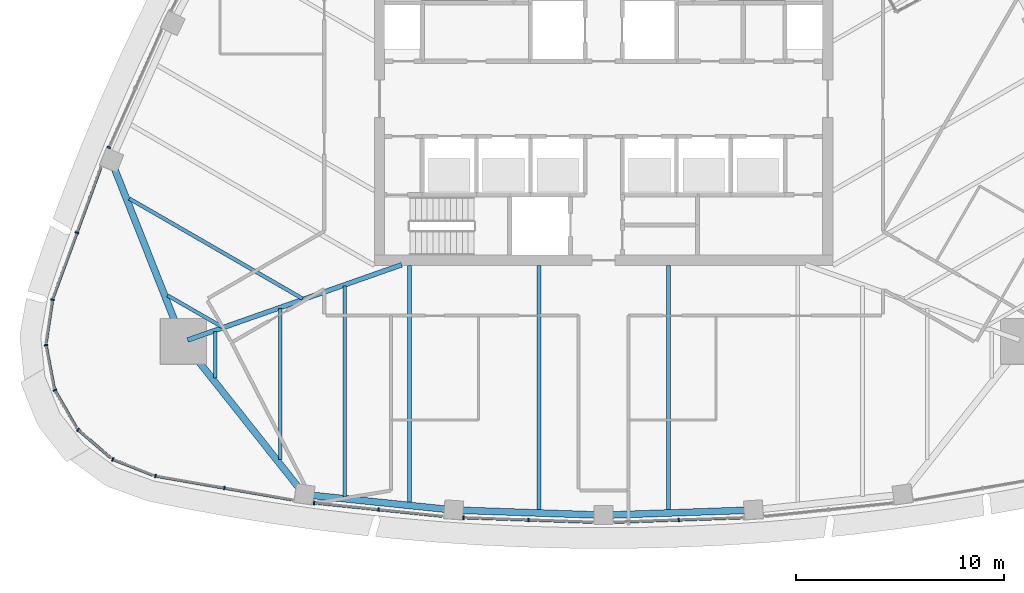
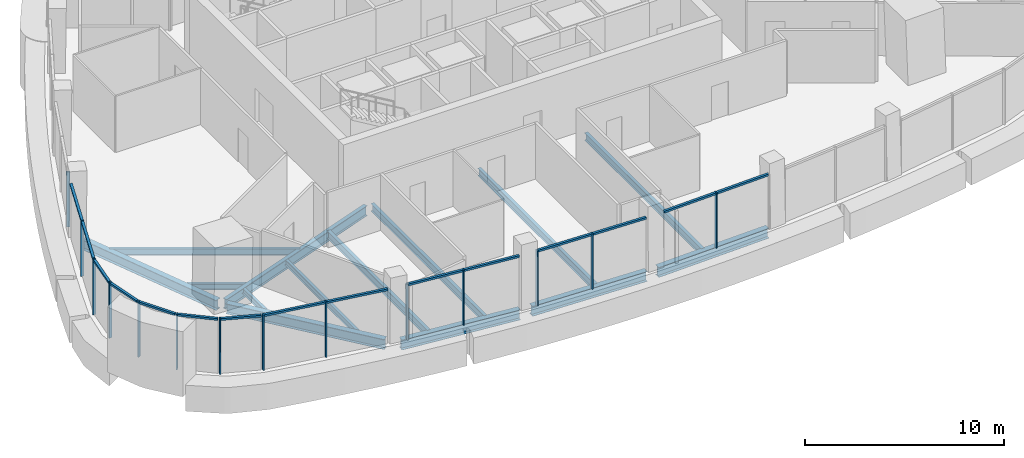
# One storey, part 2 of 18: 29 members, 14 beams, 11 elements without a shape of their own.
"""IFC4 building model written with IfcOpenShell, lengths in metres."""

from ifc_helpers import new_model, si_unit, direction, frame, origin, origin_2d, place, context, subcontext, project, spatial, rectangle, i_section, extrude, material, layer, layer_set, material_profile, profile_set, type_object, element, aggregate, save


model = new_model("IFC4")

# Units and contexts
model_context = context("Model", 3, precision=1e-05, world=origin(), true_north=direction((0.0, 1.0)))
body_context = subcontext(model_context, "Body", "Model", "MODEL_VIEW")
ifc_project = project(units=[si_unit("LENGTHUNIT", "METRE"), si_unit("AREAUNIT", "SQUARE_METRE"), si_unit("VOLUMEUNIT", "CUBIC_METRE"), si_unit("PLANEANGLEUNIT", "RADIAN"), si_unit("MASSUNIT", "GRAM", prefix="KILO")], contexts=[model_context])

# Site, building, storey
site_placement = place(None, origin())
site = spatial("IfcSite", under=ifc_project, at=site_placement, CompositionType="ELEMENT")
building_placement = place(site_placement, origin())
building = spatial("IfcBuilding", under=site, at=building_placement, Name="Sierra Prisma Convention Tower", CompositionType="ELEMENT")
storey_placement = place(building_placement, frame((0.0, 0.0, 307.0)))
storey = spatial("IfcBuildingStorey", under=building, at=storey_placement, Name="L70", CompositionType="ELEMENT", Elevation=307.0)

# Curtain wall, member
ifc_material_1 = material(Name="Aluminium and glass curtain wall", Category="aluminium")
ifc_layer = layer(ifc_material_1, 0.179931640625)
ifc_layer_set = layer_set([ifc_layer], Name="CW-1 Plain shaft curtain wall")
curtain_wall_type = type_object("IfcCurtainWallType", Name="CW-1 Plain shaft curtain wall", PredefinedType="NOTDEFINED", material=ifc_layer_set)
curtain_wall_1_placement = place(storey_placement, origin())
curtain_wall_1 = element("IfcCurtainWall", 1, at=curtain_wall_1_placement, inside=storey, type_object=curtain_wall_type, Name="CW-1 NW5 L70", PredefinedType="NOTDEFINED")
ifc_material_2 = material(Name="Aluminium 6063-T6 bronze anodised", Category="aluminium")
ifc_material_profile_1 = material_profile(ifc_material_2, rectangle(XDim=0.179931640625, YDim=0.070068359375, at=origin_2d()), Name="ALU MULLION 70x180")
ifc_profile_set_1 = profile_set([ifc_material_profile_1], Name="Aluminium 6063-T6 bronze anodised")
member_type_1 = type_object("IfcMemberType", Name="CW mullion bronze", PredefinedType="MULLION", material=ifc_profile_set_1)
member_1_placement = place(storey_placement, frame((-23.728759765625, -2.3330078125, 0.0), z_axis=(0.0, 0.0, 1.0), x_axis=(0.913045476115, -0.407857767545, 0.0)))
member_1 = element("IfcMember", 2, at=member_1_placement, type_object=member_type_1, Name="CW-1 mullion NW5.3", PredefinedType="MULLION", context=body_context, shape_type="SweptSolid", body=[
    extrude(rectangle(XDim=0.179931640625, YDim=0.070068359375, at=origin_2d()), origin(), (0.0, 0.0, 1.0), 3.39990234375),
])
aggregate(curtain_wall_1, [member_1])

curtain_wall_2_placement = place(storey_placement, origin())
curtain_wall_2 = element("IfcCurtainWall", 3, at=curtain_wall_2_placement, inside=storey, type_object=curtain_wall_type, Name="CW-1 NW6 L70", PredefinedType="NOTDEFINED")
member_2_placement = place(storey_placement, frame((-25.264404296875, -6.419921875, 0.0), z_axis=(0.0, 0.0, 1.0), x_axis=(0.938990904569, -0.343941973502, 0.0)))
member_2 = element("IfcMember", 4, at=member_2_placement, type_object=member_type_1, Name="CW-1 mullion NW6.2", PredefinedType="MULLION", context=body_context, shape_type="SweptSolid", body=[
    extrude(rectangle(XDim=0.179931640625, YDim=0.070068359375, at=origin_2d()), origin(), (0.0, 0.0, 1.0), 3.39990234375),
])

curtain_wall_3_placement = place(storey_placement, origin())
curtain_wall_3 = element("IfcCurtainWall", 5, at=curtain_wall_3_placement, inside=storey, type_object=curtain_wall_type, Name="CW-1 SW1 L70", PredefinedType="NOTDEFINED")
member_3_placement = place(storey_placement, frame((-26.43505859375, -9.63623046875, 0.0), z_axis=(0.0, 0.0, 1.0), x_axis=(0.98898350408, -0.148025770247, 0.0)))
member_3 = element("IfcMember", 6, at=member_3_placement, type_object=member_type_1, Name="CW-1 mullion SW1.1", PredefinedType="MULLION", context=body_context, shape_type="SweptSolid", body=[
    extrude(rectangle(XDim=0.179931640625, YDim=0.070068359375, at=origin_2d()), origin(), (0.0, 0.0, 1.0), 3.39990234375),
])

curtain_wall_4_placement = place(storey_placement, origin())
curtain_wall_4 = element("IfcCurtainWall", 7, at=curtain_wall_4_placement, inside=storey, type_object=curtain_wall_type, Name="CW-1 SW2 L70", PredefinedType="NOTDEFINED")
member_4_placement = place(storey_placement, frame((-26.7490234375, -11.8125, 0.0), z_axis=(0.0, 0.0, 1.0), x_axis=(0.98247079437, 0.186416571714, 0.0)))
member_4 = element("IfcMember", 8, at=member_4_placement, type_object=member_type_1, Name="CW-1 mullion SW2.1", PredefinedType="MULLION", context=body_context, shape_type="SweptSolid", body=[
    extrude(rectangle(XDim=0.179931640625, YDim=0.070068359375, at=origin_2d()), origin(), (0.0, 0.0, 1.0), 3.39990234375),
])

curtain_wall_5_placement = place(storey_placement, origin())
curtain_wall_5 = element("IfcCurtainWall", 9, at=curtain_wall_5_placement, inside=storey, type_object=curtain_wall_type, Name="CW-1 SW3 L70", PredefinedType="NOTDEFINED")
member_5_placement = place(storey_placement, frame((-26.327880859375, -13.97021484375, 0.0), z_axis=(0.0, 0.0, 1.0), x_axis=(0.866025403784, 0.5, 0.0)))
member_5 = element("IfcMember", 10, at=member_5_placement, type_object=member_type_1, Name="CW-1 mullion SW3.1", PredefinedType="MULLION", context=body_context, shape_type="SweptSolid", body=[
    extrude(rectangle(XDim=0.179931640625, YDim=0.070068359375, at=origin_2d()), origin(), (0.0, 0.0, 1.0), 3.39990234375),
])

curtain_wall_6_placement = place(storey_placement, origin())
curtain_wall_6 = element("IfcCurtainWall", 11, at=curtain_wall_6_placement, inside=storey, type_object=curtain_wall_type, Name="CW-1 SW4 L70", PredefinedType="NOTDEFINED")
member_6_placement = place(storey_placement, frame((-25.218505859375, -15.86865234375, 0.0), z_axis=(0.0, 0.0, 1.0), x_axis=(0.652676883976, 0.757636380544, 0.0)))
member_6 = element("IfcMember", 12, at=member_6_placement, type_object=member_type_1, Name="CW-1 mullion SW4.1", PredefinedType="MULLION", context=body_context, shape_type="SweptSolid", body=[
    extrude(rectangle(XDim=0.179931640625, YDim=0.070068359375, at=origin_2d()), origin(), (0.0, 0.0, 1.0), 3.39990234375),
])

curtain_wall_7_placement = place(storey_placement, origin())
curtain_wall_7 = element("IfcCurtainWall", 13, at=curtain_wall_7_placement, inside=storey, type_object=curtain_wall_type, Name="CW-1 SW5 L70", PredefinedType="NOTDEFINED")
member_7_placement = place(storey_placement, frame((-23.54541015625, -17.294921875, 0.0), z_axis=(0.0, 0.0, 1.0), x_axis=(0.366297674592, 0.930497723581, 0.0)))
member_7 = element("IfcMember", 14, at=member_7_placement, type_object=member_type_1, Name="CW-1 mullion SW5.1", PredefinedType="MULLION", context=body_context, shape_type="SweptSolid", body=[
    extrude(rectangle(XDim=0.179931640625, YDim=0.070068359375, at=origin_2d()), origin(), (0.0, 0.0, 1.0), 3.39990234375),
])

# Curtain wall, members
curtain_wall_8_placement = place(storey_placement, origin())
curtain_wall_8 = element("IfcCurtainWall", 15, at=curtain_wall_8_placement, inside=storey, type_object=curtain_wall_type, Name="CW-1 S1 L70", PredefinedType="NOTDEFINED")
member_8_placement = place(storey_placement, frame((-21.495849609375, -18.093994140625, 0.0), z_axis=(0.0, 0.0, 1.0), x_axis=(0.171632965804, 0.98516096403, 0.0)))
member_8 = element("IfcMember", 16, at=member_8_placement, type_object=member_type_1, Name="CW-1 mullion S1.1", PredefinedType="MULLION", context=body_context, shape_type="SweptSolid", body=[
    extrude(rectangle(XDim=0.179931640625, YDim=0.070068359375, at=origin_2d()), origin(), (0.0, 0.0, 1.0), 3.39990234375),
])
member_9_placement = place(storey_placement, frame((-18.192138671875, -18.669677734375, 0.0), z_axis=(0.0, 0.0, 1.0), x_axis=(0.171632965804, 0.98516096403, 0.0)))
member_9 = element("IfcMember", 17, at=member_9_placement, type_object=member_type_1, Name="CW-1 mullion S1.2", PredefinedType="MULLION", context=body_context, shape_type="SweptSolid", body=[
    extrude(rectangle(XDim=0.179931640625, YDim=0.070068359375, at=origin_2d()), origin(), (0.0, 0.0, 1.0), 3.39990234375),
])

curtain_wall_9_placement = place(storey_placement, origin())
curtain_wall_9 = element("IfcCurtainWall", 18, at=curtain_wall_9_placement, inside=storey, type_object=curtain_wall_type, Name="CW-1 S2 L70", PredefinedType="NOTDEFINED")
member_10_placement = place(storey_placement, frame((-13.884765625, -19.383056640625, 0.0), z_axis=(0.0, 0.0, 1.0), x_axis=(0.103307550233, 0.994649460898, 0.0)))
member_10 = element("IfcMember", 19, at=member_10_placement, type_object=member_type_1, Name="CW-1 mullion S2.1", PredefinedType="MULLION", context=body_context, shape_type="SweptSolid", body=[
    extrude(rectangle(XDim=0.179931640625, YDim=0.070068359375, at=origin_2d()), origin(), (0.0, 0.0, 1.0), 3.39990234375),
])
member_11_placement = place(storey_placement, frame((-10.794921875, -19.7041015625, 0.0), z_axis=(0.0, 0.0, 1.0), x_axis=(0.103307550233, 0.994649460898, 0.0)))
member_11 = element("IfcMember", 20, at=member_11_placement, type_object=member_type_1, Name="CW-1 mullion S2.2", PredefinedType="MULLION", context=body_context, shape_type="SweptSolid", body=[
    extrude(rectangle(XDim=0.179931640625, YDim=0.070068359375, at=origin_2d()), origin(), (0.0, 0.0, 1.0), 3.39990234375),
])

curtain_wall_10_placement = place(storey_placement, origin())
curtain_wall_10 = element("IfcCurtainWall", 21, at=curtain_wall_10_placement, inside=storey, type_object=curtain_wall_type, Name="CW-1 S3 L70", PredefinedType="NOTDEFINED")
member_12_placement = place(storey_placement, frame((-6.725830078125, -20.09228515625, 0.0), z_axis=(0.0, 0.0, 1.0), x_axis=(0.034490556636, 0.999405023753, 0.0)))
member_12 = element("IfcMember", 22, at=member_12_placement, type_object=member_type_1, Name="CW-1 mullion S3.1", PredefinedType="MULLION", context=body_context, shape_type="SweptSolid", body=[
    extrude(rectangle(XDim=0.179931640625, YDim=0.070068359375, at=origin_2d()), origin(), (0.0, 0.0, 1.0), 3.39990234375),
])
member_13_placement = place(storey_placement, frame((-3.605224609375, -20.199951171875, 0.0), z_axis=(0.0, 0.0, 1.0), x_axis=(0.034490556636, 0.999405023753, 0.0)))
member_13 = element("IfcMember", 23, at=member_13_placement, type_object=member_type_1, Name="CW-1 mullion S3.2", PredefinedType="MULLION", context=body_context, shape_type="SweptSolid", body=[
    extrude(rectangle(XDim=0.179931640625, YDim=0.070068359375, at=origin_2d()), origin(), (0.0, 0.0, 1.0), 3.39990234375),
])

# Curtain wall, member
curtain_wall_11_placement = place(storey_placement, origin())
curtain_wall_11 = element("IfcCurtainWall", 24, at=curtain_wall_11_placement, inside=storey, type_object=curtain_wall_type, Name="CW-1 S4 L70", PredefinedType="NOTDEFINED")
member_14_placement = place(storey_placement, frame((3.605224609375, -20.199951171875, 0.0), z_axis=(0.0, 0.0, 1.0), x_axis=(-0.034490556636, 0.999405023753, 0.0)))
member_14 = element("IfcMember", 25, at=member_14_placement, type_object=member_type_1, Name="CW-1 mullion S4.2", PredefinedType="MULLION", context=body_context, shape_type="SweptSolid", body=[
    extrude(rectangle(XDim=0.179931640625, YDim=0.070068359375, at=origin_2d()), origin(), (0.0, 0.0, 1.0), 3.39990234375),
])

# Member
ifc_material_3 = material(Name="Aluminium 6063-T6 bronze anodised", Category="aluminium")
ifc_material_profile_2 = material_profile(ifc_material_3, rectangle(XDim=0.139892578125, YDim=0.1201171875, at=origin_2d()), Name="ALU TRANSOM 120x140")
ifc_profile_set_2 = profile_set([ifc_material_profile_2], Name="Aluminium 6063-T6 bronze anodised")
member_type_2 = type_object("IfcMemberType", Name="CW transom bronze", PredefinedType="USERDEFINED", material=ifc_profile_set_2)
member_15_placement = place(storey_placement, frame((-24.123046875, -3.303955078125, 3.340087890625), z_axis=(-0.343950961625, -0.93898761227, 0.0), x_axis=(0.93898761227, -0.343950961625, 0.0)))
member_15 = element("IfcMember", 26, at=member_15_placement, type_object=member_type_2, Name="CW-1 transom NW6.1", ObjectType="TRANSOM", PredefinedType="USERDEFINED", context=body_context, shape_type="SweptSolid", body=[
    extrude(rectangle(XDim=0.139892578125, YDim=0.1201171875, at=origin_2d()), origin(), (0.0, 0.0, 1.0), 3.28369140625),
])

member_16_placement = place(storey_placement, frame((-25.2763671875, -6.452880859375, 3.340087890625), z_axis=(-0.343974976237, -0.938978815375, 0.0), x_axis=(0.938978815375, -0.343974976237, 0.0)))
member_16 = element("IfcMember", 27, at=member_16_placement, type_object=member_type_2, Name="CW-1 transom NW6.2", ObjectType="TRANSOM", PredefinedType="USERDEFINED", context=body_context, shape_type="SweptSolid", body=[
    extrude(rectangle(XDim=0.139892578125, YDim=0.1201171875, at=origin_2d()), origin(), (0.0, 0.0, 1.0), 3.283447265625),
])

aggregate(curtain_wall_2, [member_2, member_15, member_16])

member_17_placement = place(storey_placement, frame((-26.440185546875, -9.6708984375, 3.340087890625), z_axis=(-0.147987018102, -0.988989303518, 0.0), x_axis=(0.988989303518, -0.147987018102, 0.0)))
member_17 = element("IfcMember", 28, at=member_17_placement, type_object=member_type_2, Name="CW-1 transom SW1.1", ObjectType="TRANSOM", PredefinedType="USERDEFINED", context=body_context, shape_type="SweptSolid", body=[
    extrude(rectangle(XDim=0.139892578125, YDim=0.1201171875, at=origin_2d()), origin(), (0.0, 0.0, 1.0), 2.060546875),
])

aggregate(curtain_wall_3, [member_3, member_17])

member_18_placement = place(storey_placement, frame((-26.742431640625, -11.8466796875, 3.340087890625), z_axis=(0.186355339691, -0.982482410717, 0.0), x_axis=(0.982482410717, 0.186355339691, 0.0)))
member_18 = element("IfcMember", 29, at=member_18_placement, type_object=member_type_2, Name="CW-1 transom SW2.1", ObjectType="TRANSOM", PredefinedType="USERDEFINED", context=body_context, shape_type="SweptSolid", body=[
    extrude(rectangle(XDim=0.139892578125, YDim=0.1201171875, at=origin_2d()), origin(), (0.0, 0.0, 1.0), 2.060791015625),
])

aggregate(curtain_wall_4, [member_4, member_18])

member_19_placement = place(storey_placement, frame((-26.310302734375, -14.000732421875, 3.340087890625), z_axis=(0.500013052638, -0.866017867709, 0.0), x_axis=(0.866017867709, 0.500013052638, 0.0)))
member_19 = element("IfcMember", 30, at=member_19_placement, type_object=member_type_2, Name="CW-1 transom SW3.1", ObjectType="TRANSOM", PredefinedType="USERDEFINED", context=body_context, shape_type="SweptSolid", body=[
    extrude(rectangle(XDim=0.139892578125, YDim=0.1201171875, at=origin_2d()), origin(), (0.0, 0.0, 1.0), 2.060546875),
])

aggregate(curtain_wall_5, [member_5, member_19])

member_20_placement = place(storey_placement, frame((-25.192138671875, -15.891357421875, 3.340087890625), z_axis=(0.757640235391, -0.65267240919, 0.0), x_axis=(0.65267240919, 0.757640235391, 0.0)))
member_20 = element("IfcMember", 31, at=member_20_placement, type_object=member_type_2, Name="CW-1 transom SW4.1", ObjectType="TRANSOM", PredefinedType="USERDEFINED", context=body_context, shape_type="SweptSolid", body=[
    extrude(rectangle(XDim=0.139892578125, YDim=0.1201171875, at=origin_2d()), origin(), (0.0, 0.0, 1.0), 2.060791015625),
])

aggregate(curtain_wall_6, [member_6, member_20])

member_21_placement = place(storey_placement, frame((-23.5126953125, -17.3076171875, 3.340087890625), z_axis=(0.930473272584, -0.366359780826, 0.0), x_axis=(0.366359780826, 0.930473272584, 0.0)))
member_21 = element("IfcMember", 32, at=member_21_placement, type_object=member_type_2, Name="CW-1 transom SW5.1", ObjectType="TRANSOM", PredefinedType="USERDEFINED", context=body_context, shape_type="SweptSolid", body=[
    extrude(rectangle(XDim=0.139892578125, YDim=0.1201171875, at=origin_2d()), origin(), (0.0, 0.0, 1.0), 2.060546875),
])

aggregate(curtain_wall_7, [member_7, member_21])

member_22_placement = place(storey_placement, frame((-21.461181640625, -18.10009765625, 3.340087890625), z_axis=(0.985163690667, -0.171617314368, 0.0), x_axis=(0.171617314368, 0.985163690667, 0.0)))
member_22 = element("IfcMember", 33, at=member_22_placement, type_object=member_type_2, Name="CW-1 transom S1.1", ObjectType="TRANSOM", PredefinedType="USERDEFINED", context=body_context, shape_type="SweptSolid", body=[
    extrude(rectangle(XDim=0.139892578125, YDim=0.1201171875, at=origin_2d()), origin(), (0.0, 0.0, 1.0), 3.283447265625),
])

member_23_placement = place(storey_placement, frame((-18.15771484375, -18.675537109375, 3.340087890625), z_axis=(0.985153308052, -0.171676904777, 0.0), x_axis=(0.171676904777, 0.985153308052, 0.0)))
member_23 = element("IfcMember", 34, at=member_23_placement, type_object=member_type_2, Name="CW-1 transom S1.2", ObjectType="TRANSOM", PredefinedType="USERDEFINED", context=body_context, shape_type="SweptSolid", body=[
    extrude(rectangle(XDim=0.139892578125, YDim=0.1201171875, at=origin_2d()), origin(), (0.0, 0.0, 1.0), 3.28369140625),
])

aggregate(curtain_wall_8, [member_8, member_9, member_22, member_23])

member_24_placement = place(storey_placement, frame((-13.85009765625, -19.38671875, 3.340087890625), z_axis=(0.994649431449, -0.103307833771, 0.0), x_axis=(0.103307833771, 0.994649431449, 0.0)))
member_24 = element("IfcMember", 35, at=member_24_placement, type_object=member_type_2, Name="CW-1 transom S2.1", ObjectType="TRANSOM", PredefinedType="USERDEFINED", context=body_context, shape_type="SweptSolid", body=[
    extrude(rectangle(XDim=0.139892578125, YDim=0.1201171875, at=origin_2d()), origin(), (0.0, 0.0, 1.0), 3.036865234375),
])

member_25_placement = place(storey_placement, frame((-10.760009765625, -19.70751953125, 3.340087890625), z_axis=(0.994648573327, -0.103316095443, 0.0), x_axis=(0.103316095443, 0.994648573327, 0.0)))
member_25 = element("IfcMember", 36, at=member_25_placement, type_object=member_type_2, Name="CW-1 transom S2.2", ObjectType="TRANSOM", PredefinedType="USERDEFINED", context=body_context, shape_type="SweptSolid", body=[
    extrude(rectangle(XDim=0.139892578125, YDim=0.1201171875, at=origin_2d()), origin(), (0.0, 0.0, 1.0), 3.03662109375),
])

aggregate(curtain_wall_9, [member_10, member_11, member_24, member_25])

member_26_placement = place(storey_placement, frame((-6.69091796875, -20.09326171875, 3.340087890625), z_axis=(0.999402955929, -0.034550422292, 0.0), x_axis=(0.034550422292, 0.999402955929, 0.0)))
member_26 = element("IfcMember", 37, at=member_26_placement, type_object=member_type_2, Name="CW-1 transom S3.1", ObjectType="TRANSOM", PredefinedType="USERDEFINED", context=body_context, shape_type="SweptSolid", body=[
    extrude(rectangle(XDim=0.139892578125, YDim=0.1201171875, at=origin_2d()), origin(), (0.0, 0.0, 1.0), 3.052490234375),
])

member_27_placement = place(storey_placement, frame((-3.5703125, -20.201171875, 3.340087890625), z_axis=(0.999405619319, -0.034473295072, 0.0), x_axis=(0.034473295072, 0.999405619319, 0.0)))
member_27 = element("IfcMember", 38, at=member_27_placement, type_object=member_type_2, Name="CW-1 transom S3.2", ObjectType="TRANSOM", PredefinedType="USERDEFINED", context=body_context, shape_type="SweptSolid", body=[
    extrude(rectangle(XDim=0.139892578125, YDim=0.1201171875, at=origin_2d()), origin(), (0.0, 0.0, 1.0), 3.05224609375),
])

aggregate(curtain_wall_10, [member_12, member_13, member_26, member_27])

member_28_placement = place(storey_placement, frame((0.519775390625, -20.306396484375, 3.340087890625), z_axis=(0.999405619319, 0.034473295072, 0.0), x_axis=(-0.034473295072, 0.999405619319, 0.0)))
member_28 = element("IfcMember", 39, at=member_28_placement, type_object=member_type_2, Name="CW-1 transom S4.1", ObjectType="TRANSOM", PredefinedType="USERDEFINED", context=body_context, shape_type="SweptSolid", body=[
    extrude(rectangle(XDim=0.139892578125, YDim=0.1201171875, at=origin_2d()), origin(), (0.0, 0.0, 1.0), 3.05224609375),
])

member_29_placement = place(storey_placement, frame((3.64013671875, -20.19873046875, 3.340087890625), z_axis=(0.999402955929, 0.034550422292, 0.0), x_axis=(-0.034550422292, 0.999402955929, 0.0)))
member_29 = element("IfcMember", 40, at=member_29_placement, type_object=member_type_2, Name="CW-1 transom S4.2", ObjectType="TRANSOM", PredefinedType="USERDEFINED", context=body_context, shape_type="SweptSolid", body=[
    extrude(rectangle(XDim=0.139892578125, YDim=0.1201171875, at=origin_2d()), origin(), (0.0, 0.0, 1.0), 3.052490234375),
])

aggregate(curtain_wall_11, [member_14, member_28, member_29])

# Beams
ifc_material_4 = material(Name="Steel ASTM A992 Gr 50", Category="steel")
ifc_material_profile_3 = material_profile(ifc_material_4, i_section(OverallWidth=0.172119140625, OverallDepth=0.35791015625, WebThickness=0.0078125, FlangeThickness=0.01318359375, at=origin_2d()), Name="W360x57")
ifc_profile_set_3 = profile_set([ifc_material_profile_3], Name="Steel ASTM A992 Gr 50")
beam_type_1 = type_object("IfcBeamType", Name="Floor joist W360x57", PredefinedType="JOIST", material=ifc_profile_set_3)
beam_1_placement = place(storey_placement, frame((-18.626220703125, -13.395263671875, -0.3291015625), z_axis=(0.0, 1.0, 0.0), x_axis=(-1.0, 0.0, 0.0)))
element("IfcBeam", 41, at=beam_1_placement, inside=storey, type_object=beam_type_1, Name="Floor joist L70 S01", PredefinedType="JOIST", context=body_context, shape_type="SweptSolid", body=[
    extrude(i_section(OverallWidth=0.172119140625, OverallDepth=0.35791015625, WebThickness=0.0078125, FlangeThickness=0.01318359375, at=origin_2d()), origin(), (0.0, 0.0, 1.0), 2.242431640625),
])
beam_2_placement = place(storey_placement, frame((-15.521728515625, -17.308837890625, -0.3291015625), z_axis=(0.0, 1.0, 0.0), x_axis=(-1.0, 0.0, 0.0)))
element("IfcBeam", 42, at=beam_2_placement, inside=storey, type_object=beam_type_1, Name="Floor joist L70 S02", PredefinedType="JOIST", context=body_context, shape_type="SweptSolid", body=[
    extrude(i_section(OverallWidth=0.172119140625, OverallDepth=0.35791015625, WebThickness=0.0078125, FlangeThickness=0.01318359375, at=origin_2d()), origin(), (0.0, 0.0, 1.0), 7.247802734375),
])
beam_3_placement = place(storey_placement, frame((-20.91357421875, -9.43310546875, -0.3291015625), z_axis=(0.86602787586, -0.499995718215, 0.0), x_axis=(0.499995718215, 0.86602787586, 0.0)))
element("IfcBeam", 43, at=beam_3_placement, inside=storey, type_object=beam_type_1, Name="Floor joist L70 NW13", PredefinedType="JOIST", context=body_context, shape_type="SweptSolid", body=[
    extrude(i_section(OverallWidth=0.172119140625, OverallDepth=0.35791015625, WebThickness=0.0078125, FlangeThickness=0.01318359375, at=origin_2d()), origin(), (0.0, 0.0, 1.0), 3.01611328125),
])
ifc_material_5 = material(Name="Steel ASTM A992 Gr 50", Category="steel")
ifc_material_profile_4 = material_profile(ifc_material_5, i_section(OverallWidth=0.177978515625, OverallDepth=0.406982421875, WebThickness=0.0078125, FlangeThickness=0.0126953125, at=origin_2d()), Name="W410x60")
ifc_profile_set_4 = profile_set([ifc_material_profile_4], Name="Steel ASTM A992 Gr 50")
beam_type_2 = type_object("IfcBeamType", Name="Floor joist W410x60", PredefinedType="JOIST", material=ifc_profile_set_4)
beam_4_placement = place(storey_placement, frame((-22.750732421875, -4.787841796875, -0.353515625), z_axis=(0.866026229868, -0.499998569178, 0.0), x_axis=(0.499998569178, 0.866026229868, 0.0)))
element("IfcBeam", 44, at=beam_4_placement, inside=storey, type_object=beam_type_2, Name="Floor joist L70 NW12", PredefinedType="JOIST", context=body_context, shape_type="SweptSolid", body=[
    extrude(i_section(OverallWidth=0.177978515625, OverallDepth=0.406982421875, WebThickness=0.0078125, FlangeThickness=0.0126953125, at=origin_2d()), origin(), (0.0, 0.0, 1.0), 9.5927734375),
])
ifc_material_6 = material(Name="Steel ASTM A992 Gr 50", Category="steel")
ifc_material_profile_5 = material_profile(ifc_material_6, i_section(OverallWidth=0.18994140625, OverallDepth=0.45703125, WebThickness=0.009033203125, FlangeThickness=0.014404296875, at=origin_2d()), Name="W460x74")
ifc_profile_set_5 = profile_set([ifc_material_profile_5], Name="Steel ASTM A992 Gr 50")
beam_type_3 = type_object("IfcBeamType", Name="Floor joist W460x74", PredefinedType="JOIST", material=ifc_profile_set_5)
beam_5_placement = place(storey_placement, frame((-12.41748046875, -19.070556640625, -0.37841796875), z_axis=(0.0, 1.0, 0.0), x_axis=(-1.0, 0.0, 0.0)))
element("IfcBeam", 45, at=beam_5_placement, inside=storey, type_object=beam_type_3, Name="Floor joist L70 S03", PredefinedType="JOIST", context=body_context, shape_type="SweptSolid", body=[
    extrude(i_section(OverallWidth=0.18994140625, OverallDepth=0.45703125, WebThickness=0.009033203125, FlangeThickness=0.014404296875, at=origin_2d()), origin(), (0.0, 0.0, 1.0), 10.101318359375),
])
beam_6_placement = place(storey_placement, frame((-9.31298828125, -19.392822265625, -0.37841796875), z_axis=(0.0, 1.0, 0.0), x_axis=(-1.0, 0.0, 0.0)))
element("IfcBeam", 46, at=beam_6_placement, inside=storey, type_object=beam_type_3, Name="Floor joist L70 S04", PredefinedType="JOIST", context=body_context, shape_type="SweptSolid", body=[
    extrude(i_section(OverallWidth=0.18994140625, OverallDepth=0.45703125, WebThickness=0.009033203125, FlangeThickness=0.014404296875, at=origin_2d()), origin(), (0.0, 0.0, 1.0), 11.392822265625),
])
for number, where, z_axis, x_axis, name in (
    (47, (-3.104248046875, -19.754638671875, -0.37841796875), (0.0, 1.0, 0.0), (-1.0, 0.0, 0.0), "Floor joist L70 S06"),
    (48, (3.104248046875, -19.754638671875, -0.37841796875), (0.0, 1.0, 0.0), (-1.0, 0.0, 0.0), "Floor joist L70 S08"),
):
    element("IfcBeam", number, at=place(storey_placement, frame(where, z_axis=z_axis, x_axis=x_axis)), inside=storey, type_object=beam_type_3, Name=name, PredefinedType="JOIST", context=body_context, shape_type="SweptSolid", body=[
        extrude(i_section(OverallWidth=0.18994140625, OverallDepth=0.45703125, WebThickness=0.009033203125, FlangeThickness=0.014404296875, at=origin_2d()), origin(), (0.0, 0.0, 1.0), 11.754638671875),
    ])
ifc_material_7 = material(Name="Steel ASTM A992 Gr 50", Category="steel")
ifc_material_profile_6 = material_profile(ifc_material_7, i_section(OverallWidth=0.22998046875, OverallDepth=0.616943359375, WebThickness=0.01318359375, FlangeThickness=0.022216796875, at=origin_2d()), Name="W610x140")
ifc_profile_set_6 = profile_set([ifc_material_profile_6], Name="Steel ASTM A992 Gr 50")
beam_type_4 = type_object("IfcBeamType", Name="Radial girder W610x140", PredefinedType="BEAM", material=ifc_profile_set_6)
beam_7_placement = place(storey_placement, frame((-19.958251953125, -11.572509765625, -0.45849609375), z_axis=(0.94336230237, 0.33176432368, 0.0), x_axis=(-0.33176432368, 0.94336230237, 0.0)))
element("IfcBeam", 49, at=beam_7_placement, inside=storey, type_object=beam_type_4, Name="Radial girder L70 SW", PredefinedType="BEAM", context=body_context, shape_type="SweptSolid", body=[
    extrude(i_section(OverallWidth=0.22998046875, OverallDepth=0.616943359375, WebThickness=0.01318359375, FlangeThickness=0.022216796875, at=origin_2d()), origin(), (0.0, 0.0, 1.0), 10.88818359375),
])
ifc_material_8 = material(Name="Steel ASTM A992 Gr 50", Category="steel")
ifc_material_profile_7 = material_profile(ifc_material_8, i_section(OverallWidth=0.324951171875, OverallDepth=0.615966796875, WebThickness=0.013916015625, FlangeThickness=0.021484375, at=origin_2d()), Name="W610x174")
ifc_profile_set_7 = profile_set([ifc_material_profile_7], Name="Steel ASTM A992 Gr 50")
beam_type_5 = type_object("IfcBeamType", Name="Spandrel beam W610x174", PredefinedType="BEAM", material=ifc_profile_set_7)
beam_8_placement = place(storey_placement, frame((-20.003662109375, -11.869873046875, -0.4580078125), z_axis=(0.621439908454, -0.783461830711, 0.0), x_axis=(0.783461830711, 0.621439908454, 0.0)))
element("IfcBeam", 50, at=beam_8_placement, inside=storey, type_object=beam_type_5, Name="Spandrel L70-01", PredefinedType="BEAM", context=body_context, shape_type="SweptSolid", body=[
    extrude(i_section(OverallWidth=0.324951171875, OverallDepth=0.615966796875, WebThickness=0.013916015625, FlangeThickness=0.021484375, at=origin_2d()), origin(), (0.0, 0.0, 1.0), 8.575439453125),
])
beam_9_placement = place(storey_placement, frame((-14.033935546875, -19.015869140625, -0.4580078125), z_axis=(0.994646653043, -0.103334580808, 0.0), x_axis=(0.103334580808, 0.994646653043, 0.0)))
element("IfcBeam", 51, at=beam_9_placement, inside=storey, type_object=beam_type_5, Name="Spandrel L70-02", PredefinedType="BEAM", context=body_context, shape_type="SweptSolid", body=[
    extrude(i_section(OverallWidth=0.324951171875, OverallDepth=0.615966796875, WebThickness=0.013916015625, FlangeThickness=0.021484375, at=origin_2d()), origin(), (0.0, 0.0, 1.0), 6.5419921875),
])
for number, where, z_axis, x_axis, name in (
    (52, (-6.868408203125, -19.7373046875, -0.4580078125), (0.999405334363, -0.034481555168, 0.0), (0.034481555168, 0.999405334363, 0.0), "Spandrel L70-03"),
    (53, (0.330078125, -19.962890625, -0.4580078125), (0.999405334363, 0.034481555168, 0.0), (-0.034481555168, 0.999405334363, 0.0), "Spandrel L70-04"),
):
    element("IfcBeam", number, at=place(storey_placement, frame(where, z_axis=z_axis, x_axis=x_axis)), inside=storey, type_object=beam_type_5, Name=name, PredefinedType="BEAM", context=body_context, shape_type="SweptSolid", body=[
        extrude(i_section(OverallWidth=0.324951171875, OverallDepth=0.615966796875, WebThickness=0.013916015625, FlangeThickness=0.021484375, at=origin_2d()), origin(), (0.0, 0.0, 1.0), 6.542236328125),
    ])
beam_10_placement = place(storey_placement, frame((-23.435302734375, -3.414306640625, -0.4580078125), z_axis=(0.367754589119, -0.929922879696, 0.0), x_axis=(0.929922879696, 0.367754589119, 0.0)))
element("IfcBeam", 54, at=beam_10_placement, inside=storey, type_object=beam_type_5, Name="Spandrel L70-18", PredefinedType="BEAM", context=body_context, shape_type="SweptSolid", body=[
    extrude(i_section(OverallWidth=0.324951171875, OverallDepth=0.615966796875, WebThickness=0.013916015625, FlangeThickness=0.021484375, at=origin_2d()), origin(), (0.0, 0.0, 1.0), 8.61962890625),
])

save(model, "model.ifc")
